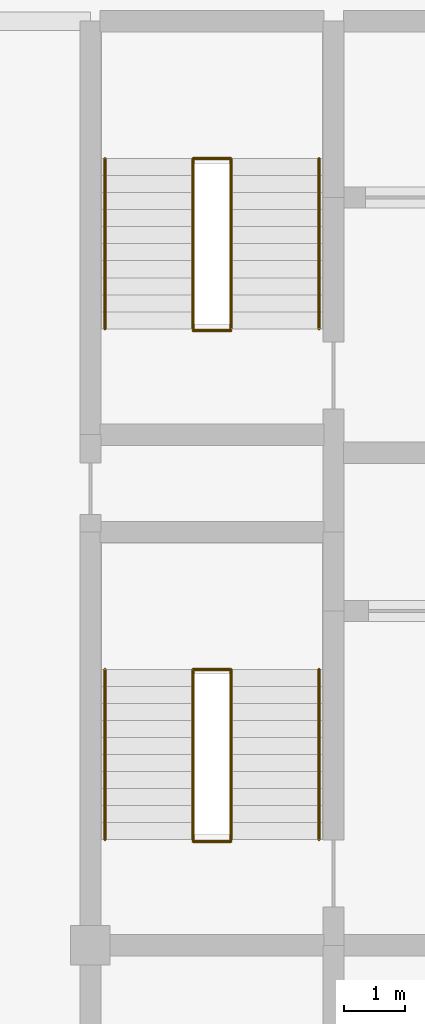
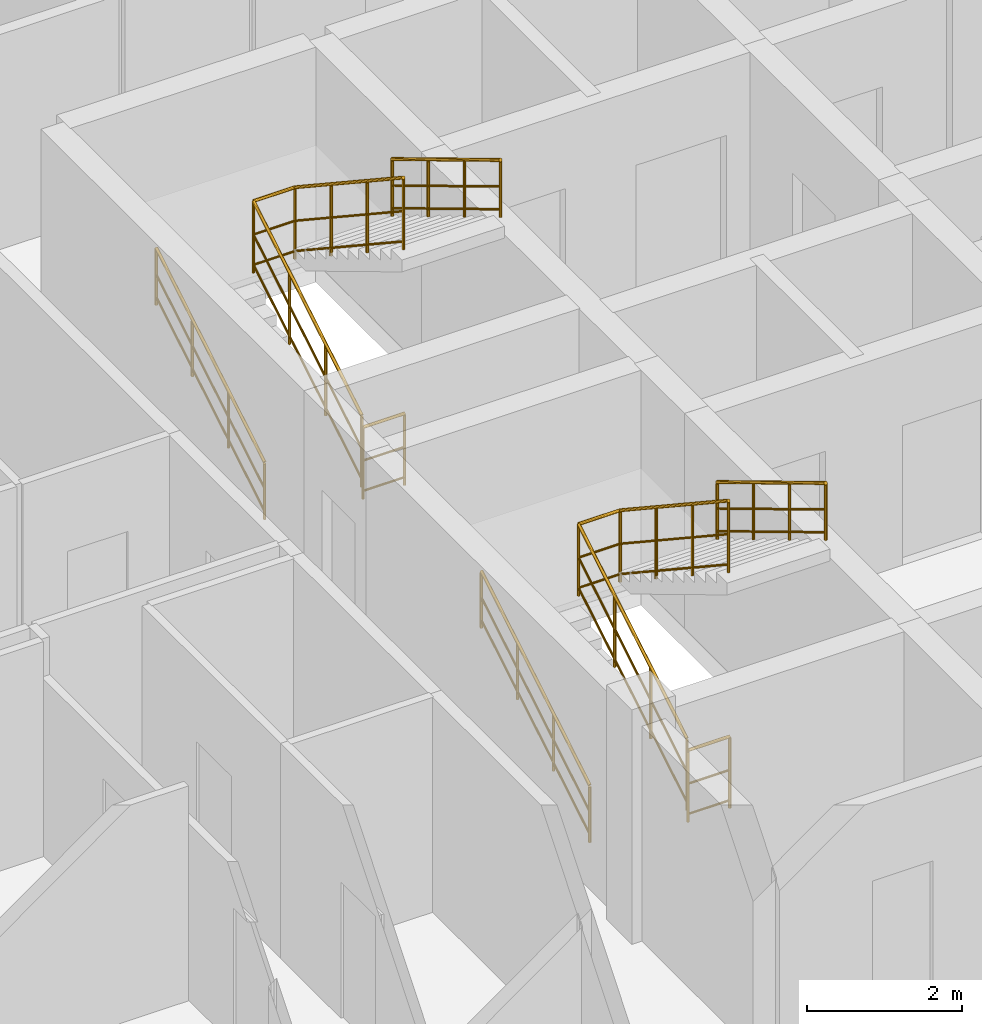
# One storey, part 27 of 27: 8 railings.
"""IFC4 building model written with IfcOpenShell, lengths in metres."""

from ifc_helpers import new_model, si_unit, direction, frame, origin, origin_2d, place, context, subcontext, project, spatial, circle, extrude, material, layer, layer_set, type_object, element, save


model = new_model("IFC4")

# Units and contexts
model_context = context("Model", 3, precision=1e-05, world=origin(), true_north=direction((0.0, 1.0)))
body_context = subcontext(model_context, "Body", "Model", "MODEL_VIEW")
ifc_project = project(units=[si_unit("LENGTHUNIT", "METRE"), si_unit("AREAUNIT", "SQUARE_METRE"), si_unit("VOLUMEUNIT", "CUBIC_METRE"), si_unit("PLANEANGLEUNIT", "RADIAN"), si_unit("MASSUNIT", "GRAM", prefix="KILO")], contexts=[model_context])

# Site, building, storey
site_placement = place(None, origin())
site = spatial("IfcSite", under=ifc_project, at=site_placement, CompositionType="ELEMENT")
building_placement = place(site_placement, origin())
building = spatial("IfcBuilding", under=site, at=building_placement, Name="Keshet Zoharim Tower", CompositionType="ELEMENT")
storey_placement = place(building_placement, frame((0.0, 0.0, 284.300048828125)))
storey = spatial("IfcBuildingStorey", under=building, at=storey_placement, Name="L71", CompositionType="ELEMENT", Elevation=284.300048828125)

# Railings
ifc_material = material(Name="Steel S355", Category="steel")
ifc_layer_1 = layer(ifc_material, 0.050048828125)
ifc_layer_set_1 = layer_set([ifc_layer_1], Name="Steel S355")
railing_type_1 = type_object("IfcRailingType", Name="RL-HND-092", PredefinedType="HANDRAIL", material=ifc_layer_set_1)
railing_1_placement = place(storey_placement, frame((15.239990234375, 24.43994140625, 0.168212890625)))
element("IfcRailing", 1, at=railing_1_placement, inside=storey, type_object=railing_type_1, Name="L71 ST-01 Flight 1 Wall Handrail", PredefinedType="HANDRAIL", context=body_context, shape_type="SweptSolid", body=[
    extrude(circle(Radius=0.02392578125, at=origin_2d()), frame((0.0, 0.0, 0.89599609375), z_axis=(0.0, 0.857275202839, 0.514858452973), x_axis=(-1.0, 0.0, 0.0)), (0.0, 0.0, 1.0), 3.26611328125),
    extrude(circle(Radius=0.01611328125, at=origin_2d()), frame((0.0, 0.0, 0.478271484375), z_axis=(0.0, 0.857275202839, 0.514858452973), x_axis=(-1.0, 0.0, 0.0)), (0.0, 0.0, 1.0), 3.26611328125),
    extrude(circle(Radius=0.01611328125, at=origin_2d()), frame((0.0, 0.0, 0.1201171875), z_axis=(0.0, 0.857275202839, 0.514858452973), x_axis=(-1.0, 0.0, 0.0)), (0.0, 0.0, 1.0), 3.26611328125),
    extrude(circle(Radius=0.02099609375, at=origin_2d()), origin(), (0.0, 0.0, 1.0), 0.871826171875),
    extrude(circle(Radius=0.02099609375, at=origin_2d()), frame((0.0, 0.933349609375, 0.560546875)), (0.0, 0.0, 1.0), 0.871826171875),
    extrude(circle(Radius=0.02099609375, at=origin_2d()), frame((0.0, 1.86669921875, 1.12109375)), (0.0, 0.0, 1.0), 0.871826171875),
    extrude(circle(Radius=0.02099609375, at=origin_2d()), frame((0.0, 2.800048828125, 1.681640625)), (0.0, 0.0, 1.0), 0.871826171875),
])
railing_2_placement = place(storey_placement, frame((18.760009765625, 27.239990234375, 2.01806640625)))
element("IfcRailing", 2, at=railing_2_placement, inside=storey, type_object=railing_type_1, Name="L71 ST-01 Flight 2 Wall Handrail", PredefinedType="HANDRAIL", context=body_context, shape_type="SweptSolid", body=[
    extrude(circle(Radius=0.02392578125, at=origin_2d()), frame((0.0, 0.0, 0.89599609375), z_axis=(0.0, -0.857242210791, 0.514913383045), x_axis=(1.0, 0.0, 0.0)), (0.0, 0.0, 1.0), 3.266357421875),
    extrude(circle(Radius=0.01611328125, at=origin_2d()), frame((0.0, 0.0, 0.478271484375), z_axis=(0.0, -0.857242210791, 0.514913383045), x_axis=(1.0, 0.0, 0.0)), (0.0, 0.0, 1.0), 3.266357421875),
    extrude(circle(Radius=0.01611328125, at=origin_2d()), frame((0.0, 0.0, 0.1201171875), z_axis=(0.0, -0.857242210791, 0.514913383045), x_axis=(1.0, 0.0, 0.0)), (0.0, 0.0, 1.0), 3.266357421875),
    extrude(circle(Radius=0.02099609375, at=origin_2d()), origin(), (0.0, 0.0, 1.0), 0.871826171875),
    extrude(circle(Radius=0.02099609375, at=origin_2d()), frame((0.0, -0.933349609375, 0.560546875)), (0.0, 0.0, 1.0), 0.871826171875),
    extrude(circle(Radius=0.02099609375, at=origin_2d()), frame((0.0, -1.86669921875, 1.121337890625)), (0.0, 0.0, 1.0), 0.871826171875),
    extrude(circle(Radius=0.02099609375, at=origin_2d()), frame((0.0, -2.800048828125, 1.681884765625)), (0.0, 0.0, 1.0), 0.871826171875),
])
railing_3_placement = place(storey_placement, frame((15.239990234375, 32.840087890625, 0.168212890625)))
element("IfcRailing", 3, at=railing_3_placement, inside=storey, type_object=railing_type_1, Name="L71 ST-02 Flight 1 Wall Handrail", PredefinedType="HANDRAIL", context=body_context, shape_type="SweptSolid", body=[
    extrude(circle(Radius=0.02392578125, at=origin_2d()), frame((0.0, 0.0, 0.89599609375), z_axis=(0.0, 0.857255387014, 0.514891446264), x_axis=(-1.0, 0.0, 0.0)), (0.0, 0.0, 1.0), 3.26611328125),
    extrude(circle(Radius=0.01611328125, at=origin_2d()), frame((0.0, 0.0, 0.478271484375), z_axis=(0.0, 0.857255387014, 0.514891446264), x_axis=(-1.0, 0.0, 0.0)), (0.0, 0.0, 1.0), 3.26611328125),
    extrude(circle(Radius=0.01611328125, at=origin_2d()), frame((0.0, 0.0, 0.1201171875), z_axis=(0.0, 0.857255387014, 0.514891446264), x_axis=(-1.0, 0.0, 0.0)), (0.0, 0.0, 1.0), 3.26611328125),
    extrude(circle(Radius=0.02099609375, at=origin_2d()), origin(), (0.0, 0.0, 1.0), 0.871826171875),
    extrude(circle(Radius=0.02099609375, at=origin_2d()), frame((0.0, 0.933349609375, 0.560546875)), (0.0, 0.0, 1.0), 0.871826171875),
    extrude(circle(Radius=0.02099609375, at=origin_2d()), frame((0.0, 1.866455078125, 1.12109375)), (0.0, 0.0, 1.0), 0.871826171875),
    extrude(circle(Radius=0.02099609375, at=origin_2d()), frame((0.0, 2.7998046875, 1.681640625)), (0.0, 0.0, 1.0), 0.871826171875),
])
railing_4_placement = place(storey_placement, frame((18.760009765625, 35.639892578125, 2.01806640625)))
element("IfcRailing", 4, at=railing_4_placement, inside=storey, type_object=railing_type_1, Name="L71 ST-02 Flight 2 Wall Handrail", PredefinedType="HANDRAIL", context=body_context, shape_type="SweptSolid", body=[
    extrude(circle(Radius=0.02392578125, at=origin_2d()), frame((0.0, 0.0, 0.89599609375), z_axis=(0.0, -0.857222391501, 0.514946377315), x_axis=(1.0, 0.0, 0.0)), (0.0, 0.0, 1.0), 3.26611328125),
    extrude(circle(Radius=0.01611328125, at=origin_2d()), frame((0.0, 0.0, 0.478271484375), z_axis=(0.0, -0.857222391501, 0.514946377315), x_axis=(1.0, 0.0, 0.0)), (0.0, 0.0, 1.0), 3.26611328125),
    extrude(circle(Radius=0.01611328125, at=origin_2d()), frame((0.0, 0.0, 0.1201171875), z_axis=(0.0, -0.857222391501, 0.514946377315), x_axis=(1.0, 0.0, 0.0)), (0.0, 0.0, 1.0), 3.26611328125),
    extrude(circle(Radius=0.02099609375, at=origin_2d()), origin(), (0.0, 0.0, 1.0), 0.871826171875),
    extrude(circle(Radius=0.02099609375, at=origin_2d()), frame((0.0, -0.933349609375, 0.560546875)), (0.0, 0.0, 1.0), 0.871826171875),
    extrude(circle(Radius=0.02099609375, at=origin_2d()), frame((0.0, -1.866455078125, 1.121337890625)), (0.0, 0.0, 1.0), 0.871826171875),
    extrude(circle(Radius=0.02099609375, at=origin_2d()), frame((0.0, -2.7998046875, 1.681884765625)), (0.0, 0.0, 1.0), 0.871826171875),
])
ifc_layer_2 = layer(ifc_material, 0.06005859375)
ifc_layer_set_2 = layer_set([ifc_layer_2], Name="Steel S355")
railing_type_2 = type_object("IfcRailingType", Name="RL-STG-115", PredefinedType="GUARDRAIL", material=ifc_layer_set_2)
railing_5_placement = place(storey_placement, frame((16.68994140625, 24.43994140625, 0.168212890625)))
element("IfcRailing", 5, at=railing_5_placement, inside=storey, type_object=railing_type_2, Name="L71 ST-01 Inner Well Guardrail", PredefinedType="GUARDRAIL", context=body_context, shape_type="SweptSolid", body=[
    extrude(circle(Radius=0.02392578125, at=origin_2d()), frame((0.0, 0.0, 1.1259765625), z_axis=(0.0, 0.857275202839, 0.514858452973), x_axis=(-1.0, 0.0, 0.0)), (0.0, 0.0, 1.0), 3.26611328125),
    extrude(circle(Radius=0.01611328125, at=origin_2d()), frame((0.0, 0.0, 0.597900390625), z_axis=(0.0, 0.857275202839, 0.514858452973), x_axis=(-1.0, 0.0, 0.0)), (0.0, 0.0, 1.0), 3.26611328125),
    extrude(circle(Radius=0.01611328125, at=origin_2d()), frame((0.0, 0.0, 0.1201171875), z_axis=(0.0, 0.857275202839, 0.514858452973), x_axis=(-1.0, 0.0, 0.0)), (0.0, 0.0, 1.0), 3.26611328125),
    extrude(circle(Radius=0.02392578125, at=origin_2d()), frame((0.0, 2.800048828125, 2.8076171875), z_axis=(1.0, 0.0, 0.0), x_axis=(0.0, 1.0, 0.0)), (0.0, 0.0, 1.0), 0.6201171875),
    extrude(circle(Radius=0.01611328125, at=origin_2d()), frame((0.0, 2.800048828125, 2.279541015625), z_axis=(1.0, 0.0, 0.0), x_axis=(0.0, 1.0, 0.0)), (0.0, 0.0, 1.0), 0.6201171875),
    extrude(circle(Radius=0.01611328125, at=origin_2d()), frame((0.0, 2.800048828125, 1.8017578125), z_axis=(1.0, 0.0, 0.0), x_axis=(0.0, 1.0, 0.0)), (0.0, 0.0, 1.0), 0.6201171875),
    extrude(circle(Radius=0.02392578125, at=origin_2d()), frame((0.6201171875, 2.800048828125, 2.8076171875), z_axis=(0.0, -0.834326358476, 0.551270829586), x_axis=(1.0, 0.0, 0.0)), (0.0, 0.0, 1.0), 3.35595703125),
    extrude(circle(Radius=0.01611328125, at=origin_2d()), frame((0.6201171875, 2.800048828125, 2.279541015625), z_axis=(0.0, -0.834326358476, 0.551270829586), x_axis=(1.0, 0.0, 0.0)), (0.0, 0.0, 1.0), 3.35595703125),
    extrude(circle(Radius=0.01611328125, at=origin_2d()), frame((0.6201171875, 2.800048828125, 1.8017578125), z_axis=(0.0, -0.834326358476, 0.551270829586), x_axis=(1.0, 0.0, 0.0)), (0.0, 0.0, 1.0), 3.35595703125),
    extrude(circle(Radius=0.02099609375, at=origin_2d()), origin(), (0.0, 0.0, 1.0), 1.101806640625),
    extrude(circle(Radius=0.02099609375, at=origin_2d()), frame((0.0, 0.933349609375, 0.560546875)), (0.0, 0.0, 1.0), 1.101806640625),
    extrude(circle(Radius=0.02099609375, at=origin_2d()), frame((0.0, 1.86669921875, 1.12109375)), (0.0, 0.0, 1.0), 1.101806640625),
    extrude(circle(Radius=0.02099609375, at=origin_2d()), frame((0.0, 2.800048828125, 1.681640625)), (0.0, 0.0, 1.0), 1.101806640625),
    extrude(circle(Radius=0.02099609375, at=origin_2d()), frame((0.6201171875, 2.800048828125, 1.681640625)), (0.0, 0.0, 1.0), 1.101806640625),
    extrude(circle(Radius=0.02099609375, at=origin_2d()), frame((0.6201171875, 1.86669921875, 2.29833984375)), (0.0, 0.0, 1.0), 1.101806640625),
    extrude(circle(Radius=0.02099609375, at=origin_2d()), frame((0.6201171875, 0.933349609375, 2.9150390625)), (0.0, 0.0, 1.0), 1.101806640625),
    extrude(circle(Radius=0.02099609375, at=origin_2d()), frame((0.6201171875, 0.0, 3.53173828125)), (0.0, 0.0, 1.0), 1.101806640625),
])
railing_6_placement = place(storey_placement, frame((16.68994140625, 24.409912109375, 0.0)))
element("IfcRailing", 6, at=railing_6_placement, inside=storey, type_object=railing_type_2, Name="L71 ST-01 Stairwell Floor Guardrail", PredefinedType="GUARDRAIL", context=body_context, shape_type="SweptSolid", body=[
    extrude(circle(Radius=0.02392578125, at=origin_2d()), frame((0.0, 0.0, 1.1259765625), z_axis=(1.0, 0.0, 0.0), x_axis=(0.0, 1.0, 0.0)), (0.0, 0.0, 1.0), 0.6201171875),
    extrude(circle(Radius=0.01611328125, at=origin_2d()), frame((0.0, 0.0, 0.597900390625), z_axis=(1.0, 0.0, 0.0), x_axis=(0.0, 1.0, 0.0)), (0.0, 0.0, 1.0), 0.6201171875),
    extrude(circle(Radius=0.01611328125, at=origin_2d()), frame((0.0, 0.0, 0.1201171875), z_axis=(1.0, 0.0, 0.0), x_axis=(0.0, 1.0, 0.0)), (0.0, 0.0, 1.0), 0.6201171875),
    extrude(circle(Radius=0.02099609375, at=origin_2d()), origin(), (0.0, 0.0, 1.0), 1.101806640625),
    extrude(circle(Radius=0.02099609375, at=origin_2d()), frame((0.6201171875, 0.0, 0.0)), (0.0, 0.0, 1.0), 1.101806640625),
])
railing_7_placement = place(storey_placement, frame((16.68994140625, 32.840087890625, 0.168212890625)))
element("IfcRailing", 7, at=railing_7_placement, inside=storey, type_object=railing_type_2, Name="L71 ST-02 Inner Well Guardrail", PredefinedType="GUARDRAIL", context=body_context, shape_type="SweptSolid", body=[
    extrude(circle(Radius=0.02392578125, at=origin_2d()), frame((0.0, 0.0, 1.1259765625), z_axis=(0.0, 0.857255387014, 0.514891446264), x_axis=(-1.0, 0.0, 0.0)), (0.0, 0.0, 1.0), 3.26611328125),
    extrude(circle(Radius=0.01611328125, at=origin_2d()), frame((0.0, 0.0, 0.597900390625), z_axis=(0.0, 0.857255387014, 0.514891446264), x_axis=(-1.0, 0.0, 0.0)), (0.0, 0.0, 1.0), 3.26611328125),
    extrude(circle(Radius=0.01611328125, at=origin_2d()), frame((0.0, 0.0, 0.1201171875), z_axis=(0.0, 0.857255387014, 0.514891446264), x_axis=(-1.0, 0.0, 0.0)), (0.0, 0.0, 1.0), 3.26611328125),
    extrude(circle(Radius=0.02392578125, at=origin_2d()), frame((0.0, 2.7998046875, 2.8076171875), z_axis=(1.0, 0.0, 0.0), x_axis=(0.0, 1.0, 0.0)), (0.0, 0.0, 1.0), 0.6201171875),
    extrude(circle(Radius=0.01611328125, at=origin_2d()), frame((0.0, 2.7998046875, 2.279541015625), z_axis=(1.0, 0.0, 0.0), x_axis=(0.0, 1.0, 0.0)), (0.0, 0.0, 1.0), 0.6201171875),
    extrude(circle(Radius=0.01611328125, at=origin_2d()), frame((0.0, 2.7998046875, 1.8017578125), z_axis=(1.0, 0.0, 0.0), x_axis=(0.0, 1.0, 0.0)), (0.0, 0.0, 1.0), 0.6201171875),
    extrude(circle(Radius=0.02392578125, at=origin_2d()), frame((0.6201171875, 2.7998046875, 2.8076171875), z_axis=(0.0, -0.834304248922, 0.551304290053), x_axis=(1.0, 0.0, 0.0)), (0.0, 0.0, 1.0), 3.35595703125),
    extrude(circle(Radius=0.01611328125, at=origin_2d()), frame((0.6201171875, 2.7998046875, 2.279541015625), z_axis=(0.0, -0.834304248922, 0.551304290053), x_axis=(1.0, 0.0, 0.0)), (0.0, 0.0, 1.0), 3.35595703125),
    extrude(circle(Radius=0.01611328125, at=origin_2d()), frame((0.6201171875, 2.7998046875, 1.8017578125), z_axis=(0.0, -0.834304248922, 0.551304290053), x_axis=(1.0, 0.0, 0.0)), (0.0, 0.0, 1.0), 3.35595703125),
    extrude(circle(Radius=0.02099609375, at=origin_2d()), origin(), (0.0, 0.0, 1.0), 1.101806640625),
    extrude(circle(Radius=0.02099609375, at=origin_2d()), frame((0.0, 0.933349609375, 0.560546875)), (0.0, 0.0, 1.0), 1.101806640625),
    extrude(circle(Radius=0.02099609375, at=origin_2d()), frame((0.0, 1.866455078125, 1.12109375)), (0.0, 0.0, 1.0), 1.101806640625),
    extrude(circle(Radius=0.02099609375, at=origin_2d()), frame((0.0, 2.7998046875, 1.681640625)), (0.0, 0.0, 1.0), 1.101806640625),
    extrude(circle(Radius=0.02099609375, at=origin_2d()), frame((0.6201171875, 2.7998046875, 1.681640625)), (0.0, 0.0, 1.0), 1.101806640625),
    extrude(circle(Radius=0.02099609375, at=origin_2d()), frame((0.6201171875, 1.866455078125, 2.29833984375)), (0.0, 0.0, 1.0), 1.101806640625),
    extrude(circle(Radius=0.02099609375, at=origin_2d()), frame((0.6201171875, 0.933349609375, 2.9150390625)), (0.0, 0.0, 1.0), 1.101806640625),
    extrude(circle(Radius=0.02099609375, at=origin_2d()), frame((0.6201171875, 0.0, 3.53173828125)), (0.0, 0.0, 1.0), 1.101806640625),
])
railing_8_placement = place(storey_placement, frame((16.68994140625, 32.81005859375, 0.0)))
element("IfcRailing", 8, at=railing_8_placement, inside=storey, type_object=railing_type_2, Name="L71 ST-02 Stairwell Floor Guardrail", PredefinedType="GUARDRAIL", context=body_context, shape_type="SweptSolid", body=[
    extrude(circle(Radius=0.02392578125, at=origin_2d()), frame((0.0, 0.0, 1.1259765625), z_axis=(1.0, 0.0, 0.0), x_axis=(0.0, 1.0, 0.0)), (0.0, 0.0, 1.0), 0.6201171875),
    extrude(circle(Radius=0.01611328125, at=origin_2d()), frame((0.0, 0.0, 0.597900390625), z_axis=(1.0, 0.0, 0.0), x_axis=(0.0, 1.0, 0.0)), (0.0, 0.0, 1.0), 0.6201171875),
    extrude(circle(Radius=0.01611328125, at=origin_2d()), frame((0.0, 0.0, 0.1201171875), z_axis=(1.0, 0.0, 0.0), x_axis=(0.0, 1.0, 0.0)), (0.0, 0.0, 1.0), 0.6201171875),
    extrude(circle(Radius=0.02099609375, at=origin_2d()), origin(), (0.0, 0.0, 1.0), 1.101806640625),
    extrude(circle(Radius=0.02099609375, at=origin_2d()), frame((0.6201171875, 0.0, 0.0)), (0.0, 0.0, 1.0), 1.101806640625),
])

save(model, "model.ifc")
